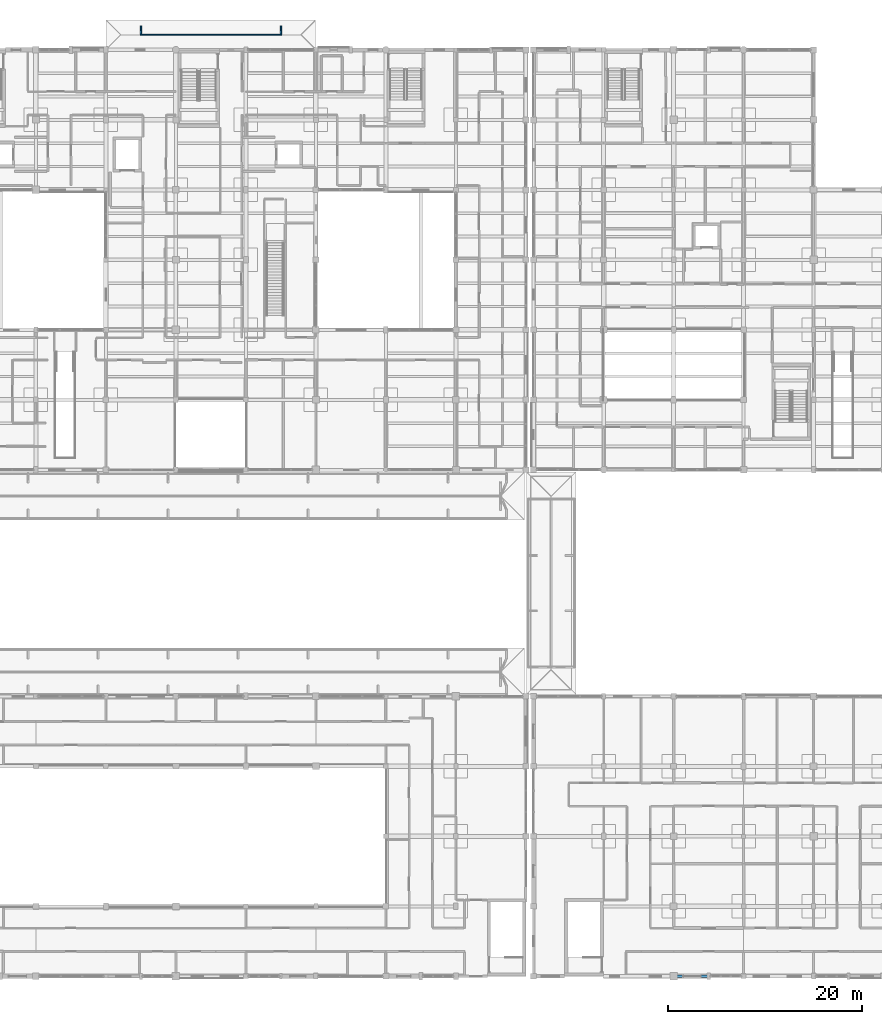
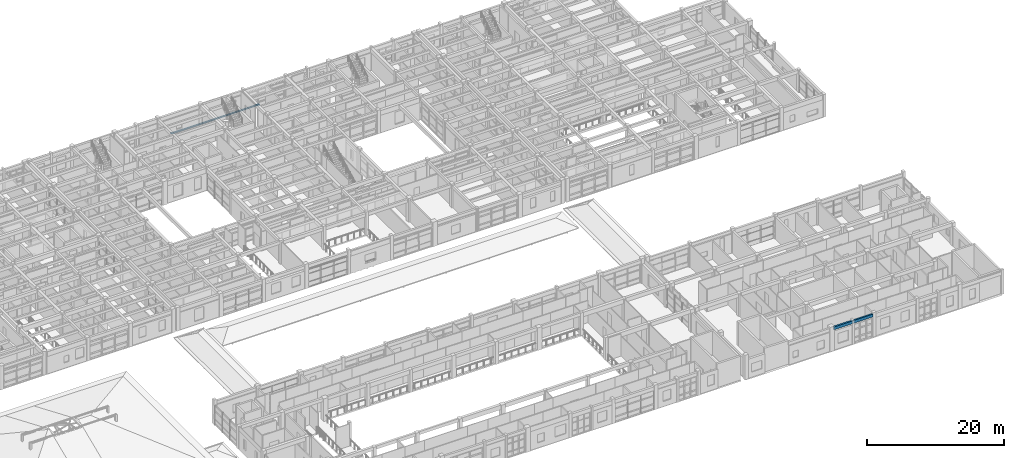
# One storey, part 43 of 110: 3 members, 1 beam.
"""IFC4 building model written with IfcOpenShell, lengths in metres."""

from ifc_helpers import new_model, si_unit, direction, frame, origin, origin_2d, place, context, subcontext, project, spatial, rectangle, extrude, material, material_profile, profile_set, type_object, element, save


model = new_model("IFC4")

# Units and contexts
model_context = context("Model", 3, precision=1e-05, world=origin(), true_north=direction((0.0, 1.0)))
body_context = subcontext(model_context, "Body", "Model", "MODEL_VIEW")
ifc_project = project(units=[si_unit("LENGTHUNIT", "METRE"), si_unit("AREAUNIT", "SQUARE_METRE"), si_unit("VOLUMEUNIT", "CUBIC_METRE"), si_unit("PLANEANGLEUNIT", "RADIAN"), si_unit("MASSUNIT", "GRAM", prefix="KILO")], contexts=[model_context])

# Site, building, storey
site_placement = place(None, origin())
site = spatial("IfcSite", under=ifc_project, at=site_placement, CompositionType="ELEMENT")
building_placement = place(site_placement, origin())
building = spatial("IfcBuilding", under=site, at=building_placement, Name="Steenspoor Specialist Clinic", CompositionType="ELEMENT")
storey_placement = place(building_placement, frame((0.0, 0.0, 4.800048828125)))
storey = spatial("IfcBuildingStorey", under=building, at=storey_placement, Name="L01", CompositionType="ELEMENT", Elevation=4.800048828125)

# Members
ifc_material_1 = material(Name="Glulam GL28h", Category="wood")
ifc_material_profile_1 = material_profile(ifc_material_1, rectangle(XDim=0.139892578125, YDim=0.219970703125, at=origin_2d()), Name="GL28H-140X220")
ifc_profile_set_1 = profile_set([ifc_material_profile_1], Name="Glulam GL28h")
member_type = type_object("IfcMemberType", Name="MEM-RAFTER-GL220", PredefinedType="RAFTER", material=ifc_profile_set_1)
member_placement = place(storey_placement, frame((77.60009765625, 109.89990234375, -0.869384765625), z_axis=(1.0, 0.0, 0.0), x_axis=(0.0, 1.0, 0.0)))
element("IfcMember", 1, at=member_placement, inside=storey, type_object=member_type, Name="Walkway Ridge Rafter PORCH-NORTH", PredefinedType="RAFTER", context=body_context, shape_type="SweptSolid", body=[
    extrude(rectangle(XDim=0.139892578125, YDim=0.219970703125, at=origin_2d()), origin(), (0.0, 0.0, 1.0), 14.39990234375),
])
for number, where, z_axis, x_axis, name in (
    (2, (77.60009765625, 110.75, -1.465087890625), (0.0, -0.818944534115, 0.573872677554), (1.0, 0.0, 0.0), "Walkway Rafter PORCH-NORTH"),
    (3, (92.0, 110.75, -1.465087890625), (0.0, -0.818944534115, 0.573872677554), (1.0, 0.0, 0.0), "Walkway Rafter PORCH-NORTH"),
):
    element("IfcMember", number, at=place(storey_placement, frame(where, z_axis=z_axis, x_axis=x_axis)), inside=storey, type_object=member_type, Name=name, PredefinedType="RAFTER", context=body_context, shape_type="SweptSolid", body=[
        extrude(rectangle(XDim=0.139892578125, YDim=0.219970703125, at=origin_2d()), origin(), (0.0, 0.0, 1.0), 1.0380859375),
    ])

# Beam
ifc_material_2 = material(Name="Concrete C35/45", Category="concrete")
ifc_material_profile_2 = material_profile(ifc_material_2, rectangle(XDim=0.280029296875, YDim=0.5, at=origin_2d()), Name="RC-SP-280X500")
ifc_profile_set_2 = profile_set([ifc_material_profile_2], Name="Concrete C35/45")
beam_type = type_object("IfcBeamType", Name="SP-RC-280X500", PredefinedType="SPANDREL", material=ifc_profile_set_2)
beam_placement = place(storey_placement, frame((132.77001953125, 13.050048828125, 3.784912109375), z_axis=(1.0, 0.0, 0.0), x_axis=(0.0, 1.0, 0.0)))
element("IfcBeam", 4, at=beam_placement, inside=storey, type_object=beam_type, Name="BM-V2-L01-X0244", PredefinedType="SPANDREL", context=body_context, shape_type="SweptSolid", body=[
    extrude(rectangle(XDim=0.280029296875, YDim=0.5, at=origin_2d()), origin(), (0.0, 0.0, 1.0), 6.5849609375),
])

save(model, "model.ifc")
